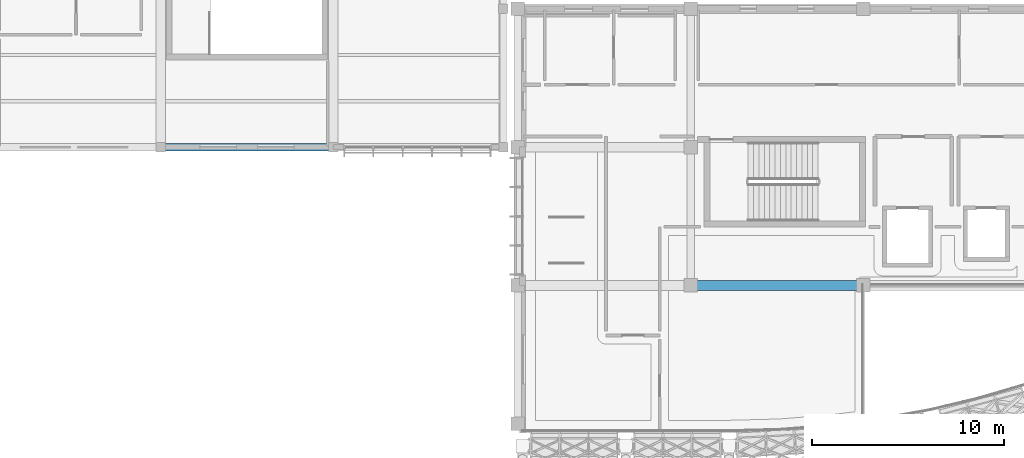
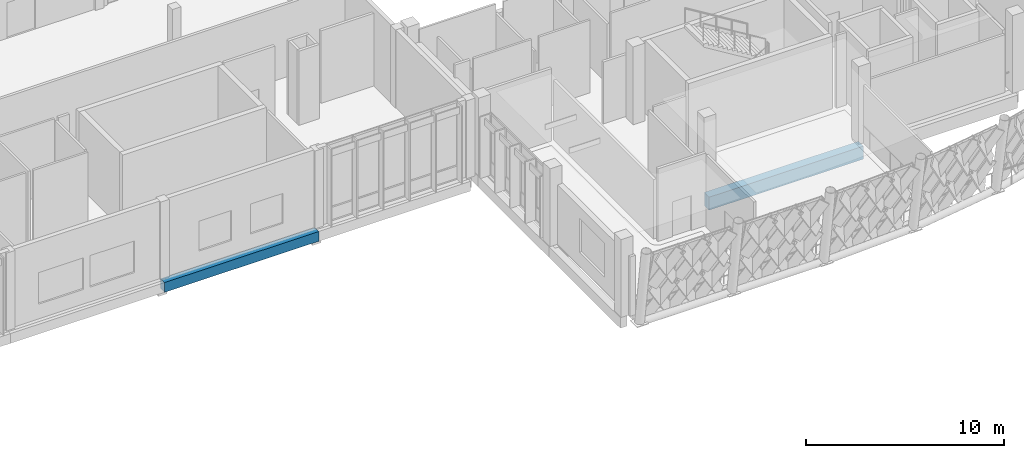
# One storey, part 51 of 177: 2 beams.
"""IFC4 building model written with IfcOpenShell, lengths in metres."""

from ifc_helpers import new_model, si_unit, direction, frame, origin, origin_2d, place, context, subcontext, project, spatial, rectangle, extrude, material, material_profile, profile_set, type_object, element, save


model = new_model("IFC4")

# Units and contexts
model_context = context("Model", 3, precision=1e-05, world=origin(), true_north=direction((0.0, 1.0)))
body_context = subcontext(model_context, "Body", "Model", "MODEL_VIEW")
ifc_project = project(units=[si_unit("LENGTHUNIT", "METRE"), si_unit("AREAUNIT", "SQUARE_METRE"), si_unit("VOLUMEUNIT", "CUBIC_METRE"), si_unit("PLANEANGLEUNIT", "RADIAN"), si_unit("MASSUNIT", "GRAM", prefix="KILO")], contexts=[model_context])

# Site, building, storey
site_placement = place(None, origin())
site = spatial("IfcSite", under=ifc_project, at=site_placement, CompositionType="ELEMENT")
building_placement = place(site_placement, origin())
building = spatial("IfcBuilding", under=site, at=building_placement, Name="Chiffa Square Polytechnic", CompositionType="ELEMENT")
storey_placement = place(building_placement, frame((0.0, 0.0, 4.800048828125)))
storey = spatial("IfcBuildingStorey", under=building, at=storey_placement, Name="L01", CompositionType="ELEMENT", Elevation=4.800048828125)

# Beams
ifc_material_1 = material(Name="Concrete C35/45", Category="concrete")
ifc_material_profile_1 = material_profile(ifc_material_1, rectangle(XDim=0.39990234375, YDim=0.60009765625, at=origin_2d()), Name="RC 400x600")
ifc_profile_set_1 = profile_set([ifc_material_profile_1], Name="Concrete C35/45")
beam_type_1 = type_object("IfcBeamType", Name="BM-RC-400X600", PredefinedType="BEAM", material=ifc_profile_set_1)
beam_1_placement = place(storey_placement, frame((93.60009765625, 21.60009765625, -0.580078125), z_axis=(1.0, 0.0, 0.0), x_axis=(0.0, 1.0, 0.0)))
element("IfcBeam", 1, at=beam_1_placement, inside=storey, type_object=beam_type_1, Name="Primary floor girder BM-V4-L01-X-0936-0216", PredefinedType="BEAM", context=body_context, shape_type="SweptSolid", body=[
    extrude(rectangle(XDim=0.39990234375, YDim=0.60009765625, at=origin_2d()), origin(), (0.0, 0.0, 1.0), 9.0),
])
ifc_material_2 = material(Name="Concrete C40/50", Category="concrete")
ifc_material_profile_2 = material_profile(ifc_material_2, rectangle(XDim=0.5, YDim=0.800048828125, at=origin_2d()), Name="RC 500x800")
ifc_profile_set_2 = profile_set([ifc_material_profile_2], Name="Concrete C40/50")
beam_type_2 = type_object("IfcBeamType", Name="BM-RC-500X800", PredefinedType="BEAM", material=ifc_profile_set_2)
beam_2_placement = place(storey_placement, frame((121.199951171875, 14.39990234375, -0.679931640625), z_axis=(1.0, 0.0, 0.0), x_axis=(0.0, 1.0, 0.0)))
element("IfcBeam", 2, at=beam_2_placement, inside=storey, type_object=beam_type_2, Name="Primary floor girder BM-V1-L01-X-1212-0144", PredefinedType="BEAM", context=body_context, shape_type="SweptSolid", body=[
    extrude(rectangle(XDim=0.5, YDim=0.800048828125, at=origin_2d()), origin(), (0.0, 0.0, 1.0), 9.0),
])

save(model, "model.ifc")
